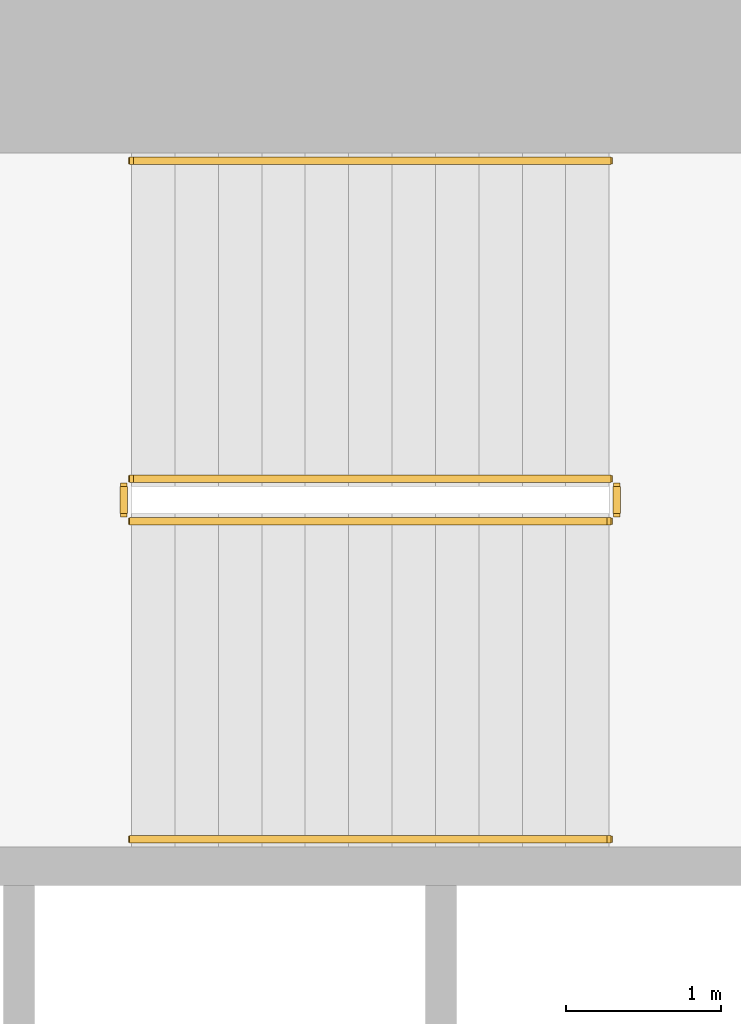
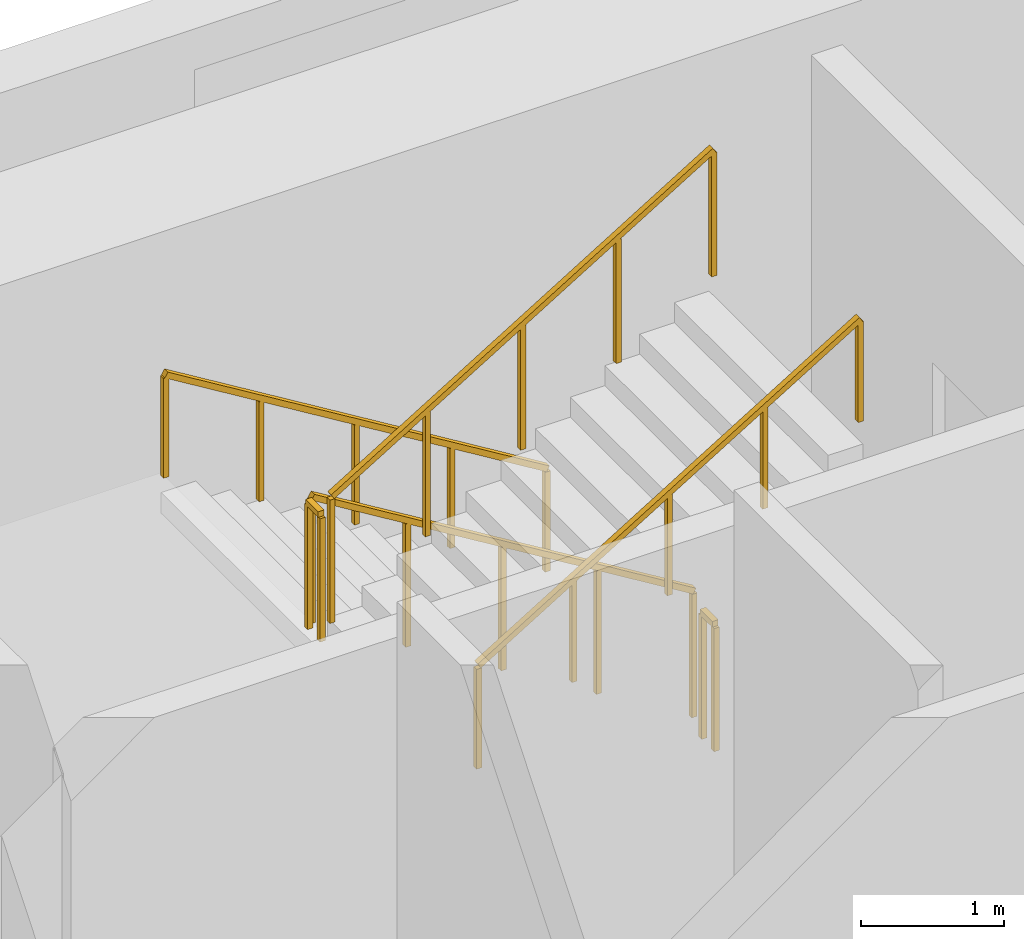
# One storey, part 14 of 15: 6 railings.
"""IFC4 building model written with IfcOpenShell, lengths in metres."""

from ifc_helpers import new_model, si_unit, direction, frame, origin, origin_2d, place, context, subcontext, project, spatial, rectangle, extrude, material, type_object, element, save


model = new_model("IFC4")

# Units and contexts
model_context = context("Model", 3, precision=1e-05, world=origin(), true_north=direction((0.0, 1.0)))
body_context = subcontext(model_context, "Body", "Model", "MODEL_VIEW")
ifc_project = project(units=[si_unit("LENGTHUNIT", "METRE"), si_unit("AREAUNIT", "SQUARE_METRE"), si_unit("VOLUMEUNIT", "CUBIC_METRE"), si_unit("PLANEANGLEUNIT", "RADIAN"), si_unit("MASSUNIT", "GRAM", prefix="KILO")], contexts=[model_context])

# Site, building, storey
site_placement = place(None, origin())
site = spatial("IfcSite", under=ifc_project, at=site_placement, CompositionType="ELEMENT")
building_placement = place(site_placement, origin())
building = spatial("IfcBuilding", under=site, at=building_placement, Name="Cypress Arch Tower", CompositionType="ELEMENT")
storey_placement = place(building_placement, frame((0.0, 0.0, 309.0)))
storey = spatial("IfcBuildingStorey", under=building, at=storey_placement, Name="L70", CompositionType="ELEMENT", Elevation=309.0)

# Railings
ifc_material_1 = material(Name="Black powder-coated steel square bar 48 mm", Category="steel")
railing_type_1 = type_object("IfcRailingType", Name="Stair handrail HR1", PredefinedType="HANDRAIL", material=ifc_material_1)
railing_1_placement = place(storey_placement, frame((-22.27490234375, 14.75, 0.1708984375)))
element("IfcRailing", 1, at=railing_1_placement, inside=storey, type_object=railing_type_1, Name="L70 B stair handrail 1", PredefinedType="HANDRAIL", context=body_context, shape_type="SweptSolid", body=[
    extrude(rectangle(XDim=0.048095703125, YDim=0.048095703125, at=origin_2d()), frame((0.0, 0.0, 0.8759765625), z_axis=(-0.853666305674, 0.0, 0.52082035152), x_axis=(0.0, -1.0, 0.0)), (0.0, 0.0, 1.0), 3.608154296875),
    extrude(rectangle(XDim=0.0419921875, YDim=0.0419921875, at=origin_2d()), origin(), (0.0, 0.0, 1.0), 0.851806640625),
    extrude(rectangle(XDim=0.0419921875, YDim=0.0419921875, at=origin_2d()), frame((-0.77001953125, 0.0, 0.4697265625)), (0.0, 0.0, 1.0), 0.851806640625),
    extrude(rectangle(XDim=0.0419921875, YDim=0.0419921875, at=origin_2d()), frame((-1.5400390625, 0.0, 0.939453125)), (0.0, 0.0, 1.0), 0.851806640625),
    extrude(rectangle(XDim=0.0419921875, YDim=0.0419921875, at=origin_2d()), frame((-2.31005859375, 0.0, 1.409423828125)), (0.0, 0.0, 1.0), 0.851806640625),
    extrude(rectangle(XDim=0.0419921875, YDim=0.0419921875, at=origin_2d()), frame((-3.080078125, 0.0, 1.879150390625)), (0.0, 0.0, 1.0), 0.851806640625),
])
railing_2_placement = place(storey_placement, frame((-25.35498046875, 10.375, 2.220947265625)))
element("IfcRailing", 2, at=railing_2_placement, inside=storey, type_object=railing_type_1, Name="L70 B stair handrail 2", PredefinedType="HANDRAIL", context=body_context, shape_type="SweptSolid", body=[
    extrude(rectangle(XDim=0.048095703125, YDim=0.048095703125, at=origin_2d()), frame((0.0, 0.0, 0.8759765625), z_axis=(0.853666305674, 0.0, 0.52082035152), x_axis=(0.0, 1.0, 0.0)), (0.0, 0.0, 1.0), 3.608154296875),
    extrude(rectangle(XDim=0.0419921875, YDim=0.0419921875, at=origin_2d()), origin(), (0.0, 0.0, 1.0), 0.851806640625),
    extrude(rectangle(XDim=0.0419921875, YDim=0.0419921875, at=origin_2d()), frame((0.77001953125, 0.0, 0.4697265625)), (0.0, 0.0, 1.0), 0.851806640625),
    extrude(rectangle(XDim=0.0419921875, YDim=0.0419921875, at=origin_2d()), frame((1.5400390625, 0.0, 0.939453125)), (0.0, 0.0, 1.0), 0.851806640625),
    extrude(rectangle(XDim=0.0419921875, YDim=0.0419921875, at=origin_2d()), frame((2.31005859375, 0.0, 1.409423828125)), (0.0, 0.0, 1.0), 0.851806640625),
    extrude(rectangle(XDim=0.0419921875, YDim=0.0419921875, at=origin_2d()), frame((3.080078125, 0.0, 1.879150390625)), (0.0, 0.0, 1.0), 0.851806640625),
])
ifc_material_2 = material(Name="Black powder-coated steel balusters", Category="steel")
railing_type_2 = type_object("IfcRailingType", Name="Stair well guard G1", PredefinedType="GUARDRAIL", material=ifc_material_2)
railing_3_placement = place(storey_placement, frame((-22.27490234375, 12.699951171875, 0.1708984375)))
element("IfcRailing", 3, at=railing_3_placement, inside=storey, type_object=railing_type_2, Name="L70 B stair guard 1", PredefinedType="GUARDRAIL", context=body_context, shape_type="SweptSolid", body=[
    extrude(rectangle(XDim=0.048095703125, YDim=0.048095703125, at=origin_2d()), frame((0.0, 0.0, 1.076171875), z_axis=(-0.853666305674, 0.0, 0.52082035152), x_axis=(0.0, -1.0, 0.0)), (0.0, 0.0, 1.0), 3.608154296875),
    extrude(rectangle(XDim=0.0419921875, YDim=0.0419921875, at=origin_2d()), origin(), (0.0, 0.0, 1.0), 1.052001953125),
    extrude(rectangle(XDim=0.0419921875, YDim=0.0419921875, at=origin_2d()), frame((-0.77001953125, 0.0, 0.4697265625)), (0.0, 0.0, 1.0), 1.052001953125),
    extrude(rectangle(XDim=0.0419921875, YDim=0.0419921875, at=origin_2d()), frame((-1.5400390625, 0.0, 0.939453125)), (0.0, 0.0, 1.0), 1.052001953125),
    extrude(rectangle(XDim=0.0419921875, YDim=0.0419921875, at=origin_2d()), frame((-2.31005859375, 0.0, 1.409423828125)), (0.0, 0.0, 1.0), 1.052001953125),
    extrude(rectangle(XDim=0.0419921875, YDim=0.0419921875, at=origin_2d()), frame((-3.080078125, 0.0, 1.879150390625)), (0.0, 0.0, 1.0), 1.052001953125),
])
railing_4_placement = place(storey_placement, frame((-25.405029296875, 12.64990234375, 2.050048828125)))
element("IfcRailing", 4, at=railing_4_placement, inside=storey, type_object=railing_type_2, Name="L70 B stair guard 2", PredefinedType="GUARDRAIL", context=body_context, shape_type="SweptSolid", body=[
    extrude(rectangle(XDim=0.048095703125, YDim=0.048095703125, at=origin_2d()), frame((0.0, 0.0, 1.076171875), z_axis=(0.0, -1.0, 0.0), x_axis=(1.0, 0.0, 0.0)), (0.0, 0.0, 1.0), 0.1748046875),
    extrude(rectangle(XDim=0.0419921875, YDim=0.0419921875, at=origin_2d()), origin(), (0.0, 0.0, 1.0), 1.052001953125),
    extrude(rectangle(XDim=0.0419921875, YDim=0.0419921875, at=origin_2d()), frame((0.0, -0.1748046875, 0.0)), (0.0, 0.0, 1.0), 1.052001953125),
])
railing_5_placement = place(storey_placement, frame((-25.35498046875, 12.425048828125, 2.220947265625)))
element("IfcRailing", 5, at=railing_5_placement, inside=storey, type_object=railing_type_2, Name="L70 B stair guard 3", PredefinedType="GUARDRAIL", context=body_context, shape_type="SweptSolid", body=[
    extrude(rectangle(XDim=0.048095703125, YDim=0.048095703125, at=origin_2d()), frame((0.0, 0.0, 1.076171875), z_axis=(0.853666305674, 0.0, 0.52082035152), x_axis=(0.0, 1.0, 0.0)), (0.0, 0.0, 1.0), 3.608154296875),
    extrude(rectangle(XDim=0.0419921875, YDim=0.0419921875, at=origin_2d()), origin(), (0.0, 0.0, 1.0), 1.052001953125),
    extrude(rectangle(XDim=0.0419921875, YDim=0.0419921875, at=origin_2d()), frame((0.77001953125, 0.0, 0.4697265625)), (0.0, 0.0, 1.0), 1.052001953125),
    extrude(rectangle(XDim=0.0419921875, YDim=0.0419921875, at=origin_2d()), frame((1.5400390625, 0.0, 0.939453125)), (0.0, 0.0, 1.0), 1.052001953125),
    extrude(rectangle(XDim=0.0419921875, YDim=0.0419921875, at=origin_2d()), frame((2.31005859375, 0.0, 1.409423828125)), (0.0, 0.0, 1.0), 1.052001953125),
    extrude(rectangle(XDim=0.0419921875, YDim=0.0419921875, at=origin_2d()), frame((3.080078125, 0.0, 1.879150390625)), (0.0, 0.0, 1.0), 1.052001953125),
])
railing_6_placement = place(storey_placement, frame((-22.22509765625, 12.64990234375, 0.0)))
element("IfcRailing", 6, at=railing_6_placement, inside=storey, type_object=railing_type_2, Name="L70 B stair guard 4", PredefinedType="GUARDRAIL", context=body_context, shape_type="SweptSolid", body=[
    extrude(rectangle(XDim=0.048095703125, YDim=0.048095703125, at=origin_2d()), frame((0.0, 0.0, 1.076171875), z_axis=(0.0, -1.0, 0.0), x_axis=(1.0, 0.0, 0.0)), (0.0, 0.0, 1.0), 0.1748046875),
    extrude(rectangle(XDim=0.0419921875, YDim=0.0419921875, at=origin_2d()), origin(), (0.0, 0.0, 1.0), 1.052001953125),
    extrude(rectangle(XDim=0.0419921875, YDim=0.0419921875, at=origin_2d()), frame((0.0, -0.1748046875, 0.0)), (0.0, 0.0, 1.0), 1.052001953125),
])

save(model, "model.ifc")
